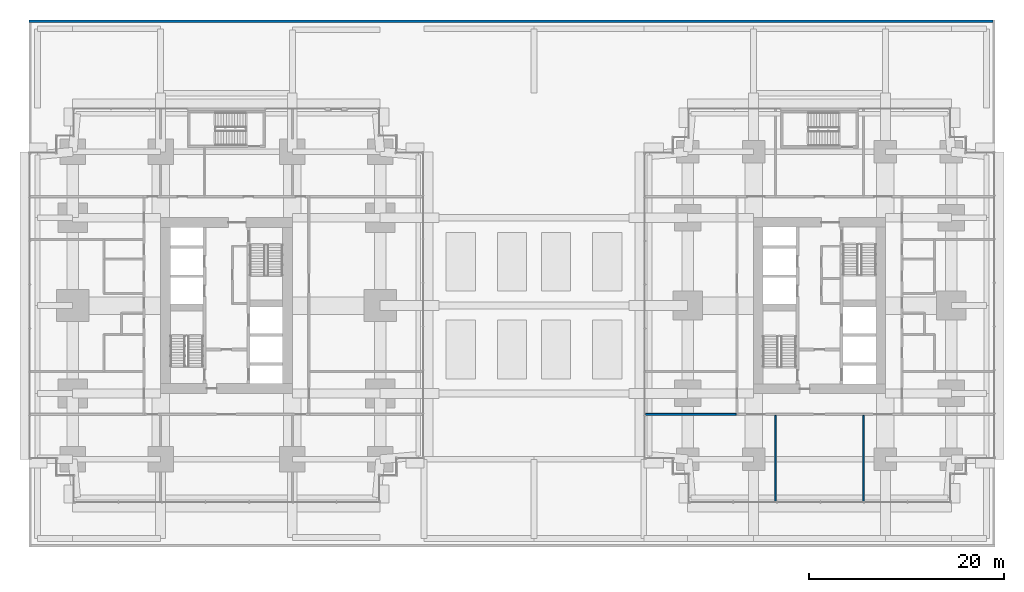
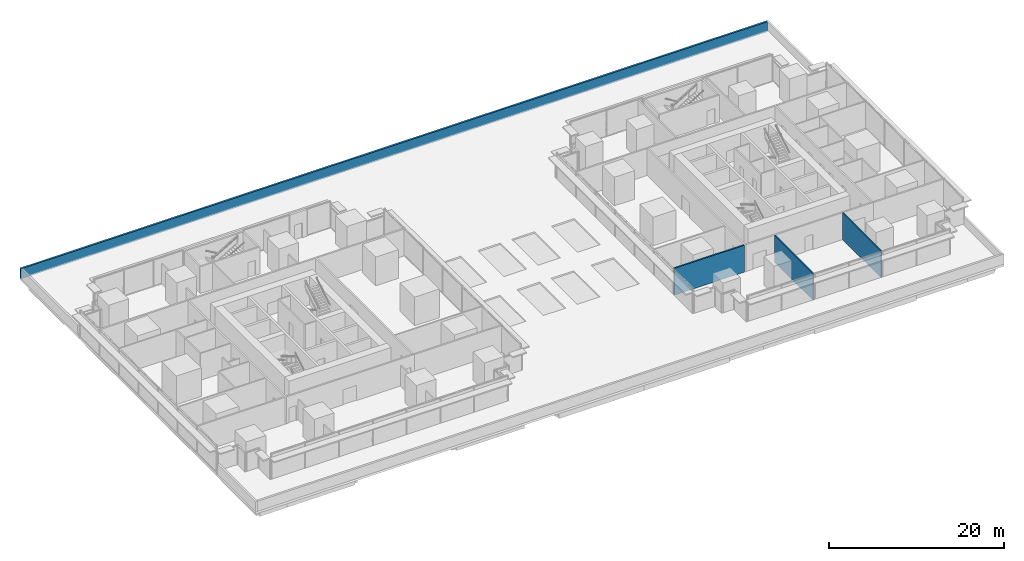
# One storey, part 28 of 34: 4 walls.
"""IFC4 building model written with IfcOpenShell, lengths in metres."""

from ifc_helpers import new_model, si_unit, direction, frame, frame_2d, origin, place, context, subcontext, project, spatial, rectangle, extrude, material, layer, layer_set, type_object, element, save


model = new_model("IFC4")

# Units and contexts
model_context = context("Model", 3, precision=1e-05, world=origin(), true_north=direction((0.0, 1.0)))
body_context = subcontext(model_context, "Body", "Model", "MODEL_VIEW")
ifc_project = project(units=[si_unit("LENGTHUNIT", "METRE"), si_unit("AREAUNIT", "SQUARE_METRE"), si_unit("VOLUMEUNIT", "CUBIC_METRE"), si_unit("PLANEANGLEUNIT", "RADIAN"), si_unit("MASSUNIT", "GRAM", prefix="KILO")], contexts=[model_context])

# Site, building, storey
site_placement = place(None, origin())
site = spatial("IfcSite", under=ifc_project, at=site_placement, CompositionType="ELEMENT")
building_placement = place(site_placement, origin())
building = spatial("IfcBuilding", under=site, at=building_placement, Name="Namib Vertical Campus", CompositionType="ELEMENT")
storey_placement = place(building_placement, frame((0.0, 0.0, 21.0)))
storey = spatial("IfcBuildingStorey", under=building, at=storey_placement, Name="L04", CompositionType="ELEMENT", Elevation=21.0)

# Walls
ifc_material_1 = material(Name="Concrete masonry", Category="masonry")
ifc_layer_1 = layer(ifc_material_1, 0.199951171875)
ifc_layer_set_1 = layer_set([ifc_layer_1], Name="Corridor wall 200")
wall_type_1 = type_object("IfcWallType", Name="Corridor wall 200", PredefinedType="SOLIDWALL", material=ifc_layer_set_1)
wall_1_placement = place(storey_placement, frame((63.179931640625, 9.10009765625, 0.0), z_axis=(0.0, 0.0, 1.0), x_axis=(1.0, 0.0, 0.0)))
element("IfcWall", 1, at=wall_1_placement, inside=storey, type_object=wall_type_1, Name="Partition B L04 BSW", PredefinedType="SOLIDWALL", context=body_context, shape_type="SweptSolid", body=[
    extrude(rectangle(XDim=9.27001953125, YDim=0.199951171875, at=frame_2d((4.635009765625, 0.0))), origin(), (0.0, 0.0, 1.0), 3.75),
])
ifc_material_2 = material(Name="Concrete C40/50", Category="concrete")
ifc_layer_2 = layer(ifc_material_2, 0.25)
ifc_layer_set_2 = layer_set([ifc_layer_2], Name="Concrete C40/50")
wall_type_2 = type_object("IfcWallType", Name="Parapet wall 250", PredefinedType="PARAPET", material=ifc_layer_set_2)
wall_2_placement = place(storey_placement, frame((98.75, 49.375, 0.0), z_axis=(0.0, 0.0, 1.0), x_axis=(-1.0, 0.0, 0.0)))
element("IfcWall", 2, at=wall_2_placement, inside=storey, type_object=wall_type_2, Name="Parapet PW1 podium 3-1", PredefinedType="PARAPET", context=body_context, shape_type="SweptSolid", body=[
    extrude(rectangle(XDim=98.75, YDim=0.25, at=frame_2d((49.375, 0.0))), origin(), (0.0, 0.0, 1.0), 1.39990234375),
])
ifc_material_3 = material(Name="Gypsum board on steel studs", Category="steel")
ifc_layer_3 = layer(ifc_material_3, 0.14990234375)
ifc_layer_set_3 = layer_set([ifc_layer_3], Name="Gypsum board on steel studs")
wall_type_3 = type_object("IfcWallType", Name="Partition 150", PredefinedType="PARTITIONING", material=ifc_layer_set_3)
for number, where, z_axis, x_axis, name in (
    (3, (76.5, 0.179931640625, 0.0), (0.0, 0.0, 1.0), (0.0, 1.0, 0.0), "Partition B L04 PS1"),
    (4, (85.5, 0.179931640625, 0.0), (0.0, 0.0, 1.0), (0.0, 1.0, 0.0), "Partition B L04 PS2"),
):
    element("IfcWall", number, at=place(storey_placement, frame(where, z_axis=z_axis, x_axis=x_axis)), inside=storey, type_object=wall_type_3, Name=name, PredefinedType="PARTITIONING", context=body_context, shape_type="SweptSolid", body=[
        extrude(rectangle(XDim=8.820068359375, YDim=0.14990234375, at=frame_2d((4.41015625, 0.0))), origin(), (0.0, 0.0, 1.0), 3.75),
    ])

save(model, "model.ifc")
